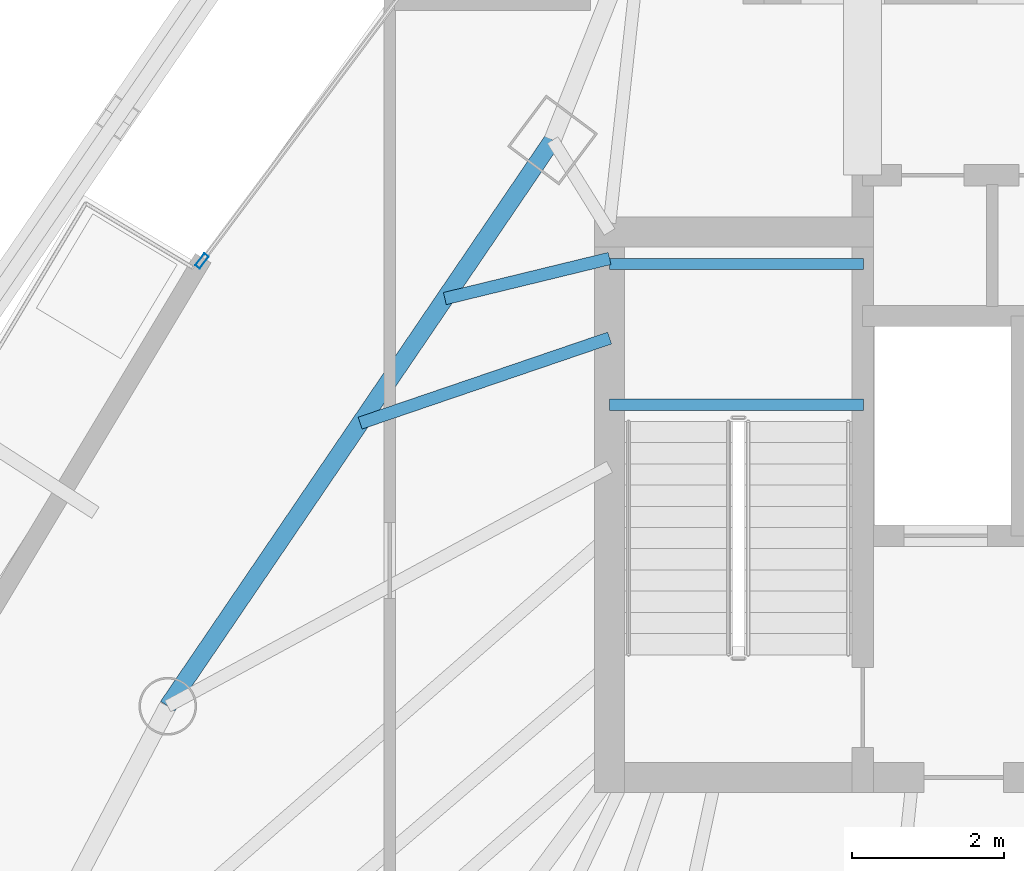
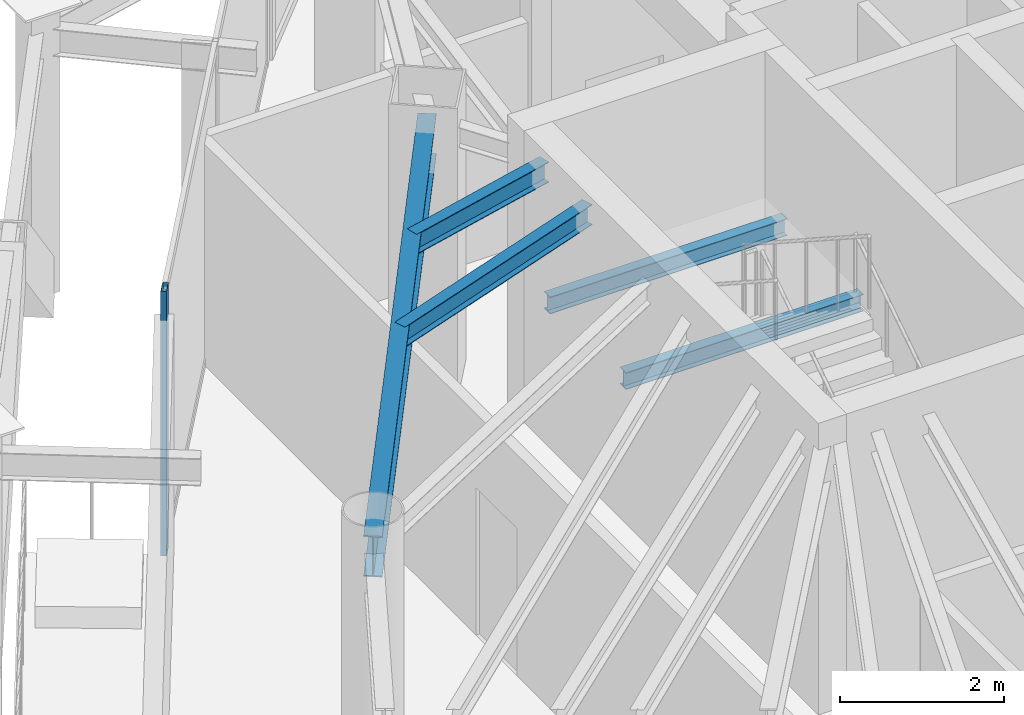
# One storey, part 10 of 27: 5 beams, 1 member, 1 element without a shape of its own.
"""IFC4 building model written with IfcOpenShell, lengths in metres."""

from ifc_helpers import new_model, si_unit, direction, frame, origin, origin_2d, place, context, subcontext, project, spatial, hollow_rectangle, i_section, extrude, material, layer, layer_set, material_profile, profile_set, type_object, element, aggregate, save


model = new_model("IFC4")

# Units and contexts
model_context = context("Model", 3, precision=1e-05, world=origin(), true_north=direction((0.0, 1.0)))
body_context = subcontext(model_context, "Body", "Model", "MODEL_VIEW")
ifc_project = project(units=[si_unit("LENGTHUNIT", "METRE"), si_unit("AREAUNIT", "SQUARE_METRE"), si_unit("VOLUMEUNIT", "CUBIC_METRE"), si_unit("PLANEANGLEUNIT", "RADIAN"), si_unit("MASSUNIT", "GRAM", prefix="KILO")], contexts=[model_context])

# Site, building, storey
site_placement = place(None, origin())
site = spatial("IfcSite", under=ifc_project, at=site_placement, CompositionType="ELEMENT")
building_placement = place(site_placement, origin())
building = spatial("IfcBuilding", under=site, at=building_placement, Name="Orvanel Arch Residences", CompositionType="ELEMENT")
storey_placement = place(building_placement, frame((0.0, 0.0, 186.949951171875)))
storey = spatial("IfcBuildingStorey", under=building, at=storey_placement, Name="L53", CompositionType="ELEMENT", Elevation=186.949951171875)

# Beams
ifc_material_1 = material(Name="Structural steel AS/NZS 3679.1 Grade 300 (300 MPa)", Category="steel")
ifc_material_profile_1 = material_profile(ifc_material_1, i_section(OverallWidth=0.14599609375, OverallDepth=0.251953125, WebThickness=0.006103515625, FlangeThickness=0.008544921875, at=origin_2d()), Name="250UB31.4")
ifc_profile_set_1 = profile_set([ifc_material_profile_1], Name="Structural steel AS/NZS 3679.1 Grade 300 (300 MPa)")
beam_type_1 = type_object("IfcBeamType", Name="BJ-250UB", PredefinedType="JOIST", material=ifc_profile_set_1)
for number, where, z_axis, x_axis, name in (
    (1, (26.39990234375, 31.6201171875, 1.84912109375), (1.0, 0.0, 0.0), (0.0, 1.0, 0.0), "L53 ST-1 Half-Landing Support Beam 1.1"),
    (2, (26.39990234375, 33.47998046875, 1.84912109375), (1.0, 0.0, 0.0), (0.0, 1.0, 0.0), "L53 ST-1 Half-Landing Support Beam 1.2"),
):
    element("IfcBeam", number, at=place(storey_placement, frame(where, z_axis=z_axis, x_axis=x_axis)), inside=storey, type_object=beam_type_1, Name=name, PredefinedType="JOIST", context=body_context, shape_type="SweptSolid", body=[
        extrude(i_section(OverallWidth=0.14599609375, OverallDepth=0.251953125, WebThickness=0.006103515625, FlangeThickness=0.008544921875, at=origin_2d()), origin(), (0.0, 0.0, 1.0), 3.35009765625),
    ])
ifc_material_profile_2 = material_profile(ifc_material_1, i_section(OverallWidth=0.1650390625, OverallDepth=0.303955078125, WebThickness=0.006103515625, FlangeThickness=0.01025390625, at=origin_2d()), Name="310UB40.4")
ifc_profile_set_2 = profile_set([ifc_material_profile_2], Name="Structural steel AS/NZS 3679.1 Grade 300 (300 MPa)")
beam_type_2 = type_object("IfcBeamType", Name="BJ-310UB", PredefinedType="JOIST", material=ifc_profile_set_2)
beam_1_placement = place(storey_placement, frame((26.39990234375, 32.5, 3.798095703125), z_axis=(-0.946441958332, -0.322873999431, 0.0), x_axis=(0.322873999431, -0.946441958332, 0.0)))
element("IfcBeam", 3, at=beam_1_placement, inside=storey, type_object=beam_type_2, Name="L53 WNW Wing Floor Joist", PredefinedType="JOIST", context=body_context, shape_type="SweptSolid", body=[
    extrude(i_section(OverallWidth=0.1650390625, OverallDepth=0.303955078125, WebThickness=0.006103515625, FlangeThickness=0.01025390625, at=origin_2d()), origin(), (0.0, 0.0, 1.0), 3.478271484375),
])
beam_2_placement = place(storey_placement, frame((26.39990234375, 33.550048828125, 3.798095703125), z_axis=(-0.971638471014, -0.236471312521, 0.0), x_axis=(0.236471312521, -0.971638471014, 0.0)))
element("IfcBeam", 4, at=beam_2_placement, inside=storey, type_object=beam_type_2, Name="L53 JADD3 Wing Floor Joist", PredefinedType="JOIST", context=body_context, shape_type="SweptSolid", body=[
    extrude(i_section(OverallWidth=0.1650390625, OverallDepth=0.303955078125, WebThickness=0.006103515625, FlangeThickness=0.01025390625, at=origin_2d()), origin(), (0.0, 0.0, 1.0), 2.2373046875),
])

# Curtain wall, member
ifc_material_2 = material(Name="Bronze-anodised aluminium AA6063-T6", Category="aluminium")
ifc_layer = layer(ifc_material_2, 0.195068359375)
ifc_layer_set = layer_set([ifc_layer], Name="Bronze-anodised aluminium AA6063-T6")
curtain_wall_type = type_object("IfcCurtainWallType", Name="CW6-COM-SYS", PredefinedType="NOTDEFINED", material=ifc_layer_set)
curtain_wall_placement = place(storey_placement, origin())
curtain_wall = element("IfcCurtainWall", 5, at=curtain_wall_placement, inside=storey, type_object=curtain_wall_type, Name="L53 CW6-COM-SYS Unitised Curtain Wall", PredefinedType="NOTDEFINED")
ifc_material_profile_3 = material_profile(ifc_material_2, hollow_rectangle(XDim=0.074951171875, YDim=0.199951171875, WallThickness=0.0048828125, at=origin_2d()), Name="ALU200x75x5")
ifc_profile_set_3 = profile_set([ifc_material_profile_3], Name="Bronze-anodised aluminium AA6063-T6")
member_type = type_object("IfcMemberType", Name="MUL-200x75", PredefinedType="MULLION", material=ifc_profile_set_3)
member_placement = place(storey_placement, frame((21.0205078125, 33.51708984375, 0.0), z_axis=(0.0, 0.0, 1.0), x_axis=(0.801033624698, -0.598619354935, 0.0)))
member = element("IfcMember", 6, at=member_placement, type_object=member_type, Name="CW-S6 mullion 3", PredefinedType="MULLION", context=body_context, shape_type="SweptSolid", body=[
    extrude(hollow_rectangle(XDim=0.074951171875, YDim=0.199951171875, WallThickness=0.0048828125, at=origin_2d()), origin(), (0.0, 0.0, 1.0), 3.949951171875),
])
aggregate(curtain_wall, [member])

# Beam
ifc_material_profile_4 = material_profile(ifc_material_1, i_section(OverallWidth=0.22900390625, OverallDepth=0.612060546875, WebThickness=0.011962890625, FlangeThickness=0.01953125, at=origin_2d()), Name="610UB125")
ifc_profile_set_4 = profile_set([ifc_material_profile_4], Name="Structural steel AS/NZS 3679.1 Grade 300 (300 MPa)")
beam_type_3 = type_object("IfcBeamType", Name="SP-610UB", PredefinedType="SPANDREL", material=ifc_profile_set_4)
beam_3_placement = place(storey_placement, frame((25.64794921875, 35.113037109375, 3.64404296875), z_axis=(-0.562154793153, -0.827032035978, 0.0), x_axis=(0.827032035978, -0.562154793153, 0.0)))
element("IfcBeam", 7, at=beam_3_placement, inside=storey, type_object=beam_type_3, Name="L53 Perimeter Spandrel Beam 17", PredefinedType="SPANDREL", context=body_context, shape_type="SweptSolid", body=[
    extrude(i_section(OverallWidth=0.22900390625, OverallDepth=0.612060546875, WebThickness=0.011962890625, FlangeThickness=0.01953125, at=origin_2d()), origin(), (0.0, 0.0, 1.0), 9.03466796875),
])

save(model, "model.ifc")
